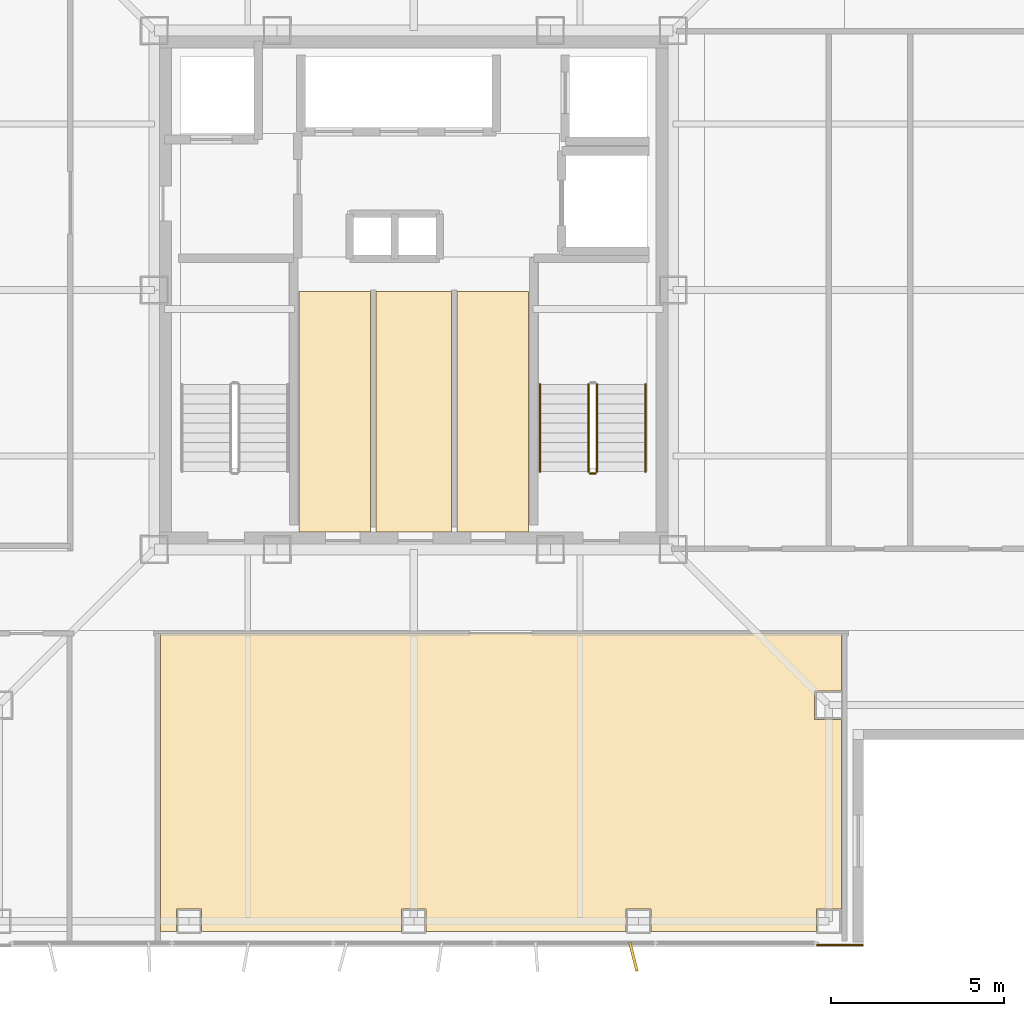
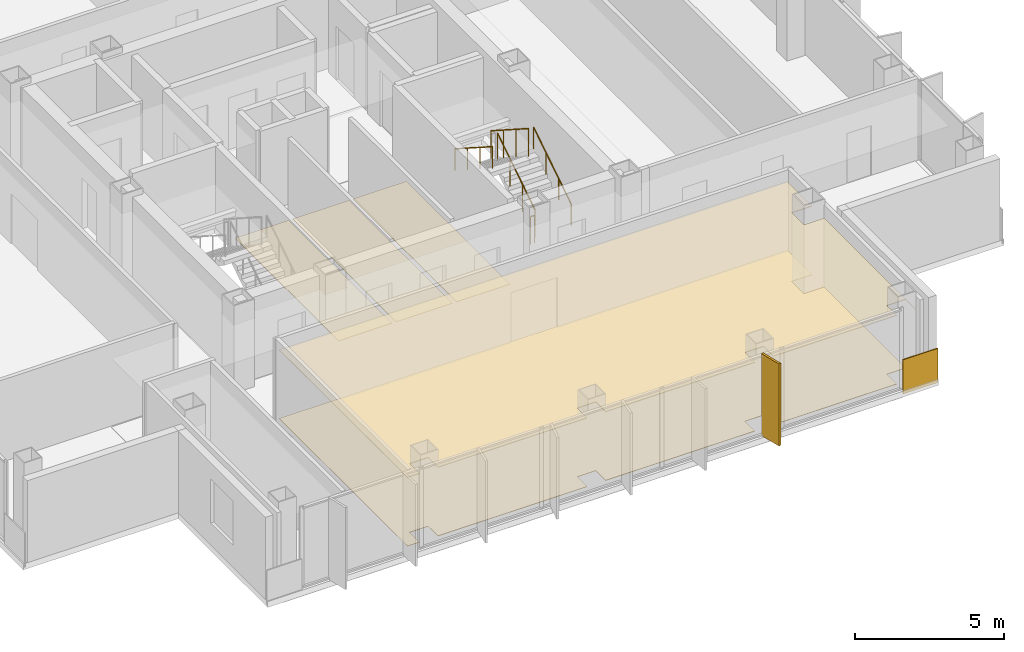
# One storey, part 11 of 15: 6 coverings, 5 railings, 1 shading device.
"""IFC4 building model written with IfcOpenShell, lengths in metres."""

from ifc_helpers import new_model, si_unit, direction, frame, frame_2d, origin, origin_2d, place, context, subcontext, project, spatial, polyline, rectangle, circle, outline, extrude, material, layer, layer_set, type_object, element, save


model = new_model("IFC4")

# Units and contexts
model_context = context("Model", 3, precision=1e-05, world=origin(), true_north=direction((0.0, 1.0)))
body_context = subcontext(model_context, "Body", "Model", "MODEL_VIEW")
ifc_project = project(units=[si_unit("LENGTHUNIT", "METRE"), si_unit("AREAUNIT", "SQUARE_METRE"), si_unit("VOLUMEUNIT", "CUBIC_METRE"), si_unit("PLANEANGLEUNIT", "RADIAN"), si_unit("MASSUNIT", "GRAM", prefix="KILO")], contexts=[model_context])

# Site, building, storey
site_placement = place(None, origin())
site = spatial("IfcSite", under=ifc_project, at=site_placement, CompositionType="ELEMENT")
building_placement = place(site_placement, origin())
building = spatial("IfcBuilding", under=site, at=building_placement, Name="Trevonay Congress Spire", CompositionType="ELEMENT")
storey_placement = place(building_placement, frame((0.0, 0.0, 250.39990234375)))
storey = spatial("IfcBuildingStorey", under=building, at=storey_placement, Name="L65", CompositionType="ELEMENT", Elevation=250.39990234375)

# Coverings
ifc_material_1 = material(Name="Acoustic Mineral Fibre Board", Category="gypsum")
ifc_layer_1 = layer(ifc_material_1, 0.02490234375, Name="Acoustic Mineral Fibre Board")
ifc_layer_set_1 = layer_set([ifc_layer_1], Name="Acoustic Mineral Fibre Board")
covering_type_1 = type_object("IfcCoveringType", Name="COV-CEIL-ACOUSTIC", PredefinedType="CEILING", material=ifc_layer_set_1)
covering_1_placement = place(storey_placement, frame((0.0, 0.0, 2.81005859375)))
element("IfcCovering", 1, at=covering_1_placement, inside=storey, type_object=covering_type_1, Name="L65 South Atlantic Multilateral Summit Chamber acoustic suspended ceiling", PredefinedType="CEILING", context=body_context, shape_type="SweptSolid", body=[
    extrude(outline(polyline([(-7.320068359375, -18.550048828125), (-7.320068359375, -9.929931640625), (12.3701171875, -9.929931640625), (12.3701171875, -11.590087890625), (11.590087890625, -11.590087890625), (11.590087890625, -12.409912109375), (12.3701171875, -12.409912109375), (12.3701171875, -18.550048828125), (12.360107421875, -18.550048828125), (12.360107421875, -17.889892578125), (11.639892578125, -17.889892578125), (11.639892578125, -18.550048828125), (6.860107421875, -18.550048828125), (6.860107421875, -17.889892578125), (6.139892578125, -17.889892578125), (6.139892578125, -18.550048828125), (0.360107421875, -18.550048828125), (0.360107421875, -17.889892578125), (-0.360107421875, -17.889892578125), (-0.360107421875, -18.550048828125), (-6.139892578125, -18.550048828125), (-6.139892578125, -17.889892578125), (-6.860107421875, -17.889892578125), (-6.860107421875, -18.550048828125), (-7.320068359375, -18.550048828125)])), origin(), (0.0, 0.0, 1.0), 0.025146484375),
])
ifc_material_2 = material(Name="Polished Granite Floor Tile", Category="masonry")
ifc_layer_2 = layer(ifc_material_2, 0.02001953125, Name="Polished Granite Floor Tile")
ifc_layer_set_2 = layer_set([ifc_layer_2], Name="Polished Granite Floor Tile")
covering_type_2 = type_object("IfcCoveringType", Name="COV-FLOOR-STONE", PredefinedType="FLOORING", material=ifc_layer_set_2)
covering_2_placement = place(storey_placement, origin())
element("IfcCovering", 2, at=covering_2_placement, inside=storey, type_object=covering_type_2, Name="L65 Core AHU Fan Plant Room floor finish", PredefinedType="FLOORING", context=body_context, shape_type="SweptSolid", body=[
    extrude(outline(polyline([(-3.320068359375, -7.0), (-1.25, -7.0), (-1.25, -0.050048828125), (-3.320068359375, -0.050048828125), (-3.320068359375, -7.0)])), origin(), (0.0, 0.0, 1.0), 0.02001953125),
])
covering_3_placement = place(storey_placement, origin())
element("IfcCovering", 3, at=covering_3_placement, inside=storey, type_object=covering_type_2, Name="L65 Core IT Comms Store floor finish", PredefinedType="FLOORING", context=body_context, shape_type="SweptSolid", body=[
    extrude(outline(polyline([(-1.090087890625, -7.0), (1.090087890625, -7.0), (1.090087890625, -0.050048828125), (-1.090087890625, -0.050048828125), (-1.090087890625, -7.0)])), origin(), (0.0, 0.0, 1.0), 0.02001953125),
])
covering_4_placement = place(storey_placement, origin())
element("IfcCovering", 4, at=covering_4_placement, inside=storey, type_object=covering_type_2, Name="L65 Housekeeping Linen Store floor finish", PredefinedType="FLOORING", context=body_context, shape_type="SweptSolid", body=[
    extrude(outline(polyline([(1.25, -7.0), (3.320068359375, -7.0), (3.320068359375, -0.050048828125), (1.25, -0.050048828125), (1.25, -7.0)])), origin(), (0.0, 0.0, 1.0), 0.02001953125),
])
ifc_material_3 = material(Name="Engineered Oak Flooring", Category="wood")
ifc_layer_3 = layer(ifc_material_3, 0.01806640625, Name="Engineered Oak Flooring")
ifc_layer_set_3 = layer_set([ifc_layer_3], Name="Engineered Oak Flooring")
covering_type_3 = type_object("IfcCoveringType", Name="COV-FLOOR-TIMBER", PredefinedType="FLOORING", material=ifc_layer_set_3)
covering_5_placement = place(storey_placement, origin())
element("IfcCovering", 5, at=covering_5_placement, inside=storey, type_object=covering_type_3, Name="L65 South Atlantic Multilateral Summit Chamber floor finish", PredefinedType="FLOORING", context=body_context, shape_type="SweptSolid", body=[
    extrude(outline(polyline([(-7.320068359375, -18.550048828125), (-7.320068359375, -9.929931640625), (12.3701171875, -9.929931640625), (12.3701171875, -11.590087890625), (11.590087890625, -11.590087890625), (11.590087890625, -12.409912109375), (12.3701171875, -12.409912109375), (12.3701171875, -18.550048828125), (12.360107421875, -18.550048828125), (12.360107421875, -17.889892578125), (11.639892578125, -17.889892578125), (11.639892578125, -18.550048828125), (6.860107421875, -18.550048828125), (6.860107421875, -17.889892578125), (6.139892578125, -17.889892578125), (6.139892578125, -18.550048828125), (0.360107421875, -18.550048828125), (0.360107421875, -17.889892578125), (-0.360107421875, -17.889892578125), (-0.360107421875, -18.550048828125), (-6.139892578125, -18.550048828125), (-6.139892578125, -17.889892578125), (-6.860107421875, -17.889892578125), (-6.860107421875, -18.550048828125), (-7.320068359375, -18.550048828125)])), origin(), (0.0, 0.0, 1.0), 0.01806640625),
])
ifc_material_4 = material(Name="Pale Anodised Aluminium EN AW-6063-T6", Category="aluminium")
ifc_layer_4 = layer(ifc_material_4, 0.0400390625, Name="Pale Anodised Aluminium EN AW-6063-T6")
ifc_layer_set_4 = layer_set([ifc_layer_4], Name="Pale Anodised Aluminium EN AW-6063-T6")
covering_type_4 = type_object("IfcCoveringType", Name="COV-SPANDREL-PALE-METAL", PredefinedType="CLADDING", material=ifc_layer_set_4)
covering_6_placement = place(storey_placement, frame((11.64990234375, -18.93994140625, -0.14990234375), z_axis=(0.0, 0.0, 1.0), x_axis=(1.0, 0.0, 0.0)))
element("IfcCovering", 6, at=covering_6_placement, inside=storey, type_object=covering_type_4, Name="L65 SE corner pier spandrel cladding 2", PredefinedType="CLADDING", context=body_context, shape_type="SweptSolid", body=[
    extrude(rectangle(XDim=1.35009765625, YDim=0.0400390625, at=frame_2d((0.675048828125, 0.0))), origin(), (0.0, 0.0, 1.0), 1.39990234375),
])

# Railings
railing_type_1 = type_object("IfcRailingType", Name="RAL-STAIR-GUARD-110", PredefinedType="GUARDRAIL", material=ifc_material_4)
railing_1_placement = place(storey_placement, frame((5.300048828125, -5.25, 0.18017578125)))
element("IfcRailing", 7, at=railing_1_placement, inside=storey, type_object=railing_type_1, Name="L65 ST-2 stair guard 1", PredefinedType="GUARDRAIL", context=body_context, shape_type="SweptSolid", body=[
    extrude(circle(Radius=0.02392578125, at=origin_2d()), frame((0.0, 0.0, 1.1259765625), z_axis=(0.0, 0.841199657755, 0.540724639528), x_axis=(-1.0, 0.0, 0.0)), (0.0, 0.0, 1.0), 2.995849609375),
    extrude(circle(Radius=0.02099609375, at=origin_2d()), origin(), (0.0, 0.0, 1.0), 1.101806640625),
    extrude(circle(Radius=0.02099609375, at=origin_2d()), frame((0.0, 0.840087890625, 0.5400390625)), (0.0, 0.0, 1.0), 1.101806640625),
    extrude(circle(Radius=0.02099609375, at=origin_2d()), frame((0.0, 1.679931640625, 1.079833984375)), (0.0, 0.0, 1.0), 1.101806640625),
    extrude(circle(Radius=0.02099609375, at=origin_2d()), frame((0.0, 2.52001953125, 1.619873046875)), (0.0, 0.0, 1.0), 1.101806640625),
])
railing_2_placement = place(storey_placement, frame((5.050048828125, -2.72998046875, 1.97998046875)))
element("IfcRailing", 8, at=railing_2_placement, inside=storey, type_object=railing_type_1, Name="L65 ST-2 stair guard 3", PredefinedType="GUARDRAIL", context=body_context, shape_type="SweptSolid", body=[
    extrude(circle(Radius=0.02392578125, at=origin_2d()), frame((0.0, 0.0, 1.1259765625), z_axis=(0.0, -0.841162588446, 0.540782303519), x_axis=(1.0, 0.0, 0.0)), (0.0, 0.0, 1.0), 2.995849609375),
    extrude(circle(Radius=0.02099609375, at=origin_2d()), origin(), (0.0, 0.0, 1.0), 1.101806640625),
    extrude(circle(Radius=0.02099609375, at=origin_2d()), frame((0.0, -0.840087890625, 0.5400390625)), (0.0, 0.0, 1.0), 1.101806640625),
    extrude(circle(Radius=0.02099609375, at=origin_2d()), frame((0.0, -1.679931640625, 1.080078125)), (0.0, 0.0, 1.0), 1.101806640625),
    extrude(circle(Radius=0.02099609375, at=origin_2d()), frame((0.0, -2.52001953125, 1.6201171875)), (0.0, 0.0, 1.0), 1.101806640625),
])
railing_3_placement = place(storey_placement, frame((5.25, -5.300048828125, 0.0)))
element("IfcRailing", 9, at=railing_3_placement, inside=storey, type_object=railing_type_1, Name="L65 ST-2 stair guard 4", PredefinedType="GUARDRAIL", context=body_context, shape_type="SweptSolid", body=[
    extrude(circle(Radius=0.02392578125, at=origin_2d()), frame((0.0, 0.0, 1.1259765625), z_axis=(-1.0, 0.0, 0.0), x_axis=(0.0, -1.0, 0.0)), (0.0, 0.0, 1.0), 0.14990234375),
    extrude(circle(Radius=0.02099609375, at=origin_2d()), origin(), (0.0, 0.0, 1.0), 1.101806640625),
    extrude(circle(Radius=0.02099609375, at=origin_2d()), frame((-0.14990234375, 0.0, 0.0)), (0.0, 0.0, 1.0), 1.101806640625),
])
railing_type_2 = type_object("IfcRailingType", Name="RAL-STAIR-HANDRAIL", PredefinedType="HANDRAIL", material=ifc_material_4)
railing_4_placement = place(storey_placement, frame((6.699951171875, -5.25, 0.18017578125)))
element("IfcRailing", 10, at=railing_4_placement, inside=storey, type_object=railing_type_2, Name="L65 ST-2 stair handrail 1", PredefinedType="HANDRAIL", context=body_context, shape_type="SweptSolid", body=[
    extrude(circle(Radius=0.02392578125, at=origin_2d()), frame((0.0, 0.0, 0.8759765625), z_axis=(0.0, 0.841199657755, 0.540724639528), x_axis=(-1.0, 0.0, 0.0)), (0.0, 0.0, 1.0), 2.995849609375),
    extrude(circle(Radius=0.02099609375, at=origin_2d()), origin(), (0.0, 0.0, 1.0), 0.851806640625),
    extrude(circle(Radius=0.02099609375, at=origin_2d()), frame((0.0, 0.840087890625, 0.5400390625)), (0.0, 0.0, 1.0), 0.851806640625),
    extrude(circle(Radius=0.02099609375, at=origin_2d()), frame((0.0, 1.679931640625, 1.079833984375)), (0.0, 0.0, 1.0), 0.851806640625),
    extrude(circle(Radius=0.02099609375, at=origin_2d()), frame((0.0, 2.52001953125, 1.619873046875)), (0.0, 0.0, 1.0), 0.851806640625),
])
railing_5_placement = place(storey_placement, frame((3.64990234375, -2.72998046875, 1.97998046875)))
element("IfcRailing", 11, at=railing_5_placement, inside=storey, type_object=railing_type_2, Name="L65 ST-2 stair handrail 2", PredefinedType="HANDRAIL", context=body_context, shape_type="SweptSolid", body=[
    extrude(circle(Radius=0.02392578125, at=origin_2d()), frame((0.0, 0.0, 0.8759765625), z_axis=(0.0, -0.841162588446, 0.540782303519), x_axis=(1.0, 0.0, 0.0)), (0.0, 0.0, 1.0), 2.995849609375),
    extrude(circle(Radius=0.02099609375, at=origin_2d()), origin(), (0.0, 0.0, 1.0), 0.851806640625),
    extrude(circle(Radius=0.02099609375, at=origin_2d()), frame((0.0, -0.840087890625, 0.5400390625)), (0.0, 0.0, 1.0), 0.851806640625),
    extrude(circle(Radius=0.02099609375, at=origin_2d()), frame((0.0, -1.679931640625, 1.080078125)), (0.0, 0.0, 1.0), 0.851806640625),
    extrude(circle(Radius=0.02099609375, at=origin_2d()), frame((0.0, -2.52001953125, 1.6201171875)), (0.0, 0.0, 1.0), 0.851806640625),
])

# Shading device
shading_device_type = type_object("IfcShadingDeviceType", Name="SHD-FIN-Z4-PALE-METAL", PredefinedType="USERDEFINED", material=ifc_material_4)
shading_device_placement = place(storey_placement, frame((6.35009765625, -19.280029296875, 0.0), z_axis=(0.0, 0.0, 1.0), x_axis=(0.970464383152, 0.241244442494, 0.0)))
element("IfcShadingDevice", 12, at=shading_device_placement, inside=storey, type_object=shading_device_type, Name="L65 S vertical pale-metal solar fin 7", ObjectType="SOLAR FIN", PredefinedType="USERDEFINED", context=body_context, shape_type="SweptSolid", body=[
    extrude(rectangle(XDim=0.080078125, YDim=0.85009765625, at=origin_2d()), origin(), (0.0, 0.0, 1.0), 3.360107421875),
])

save(model, "model.ifc")
